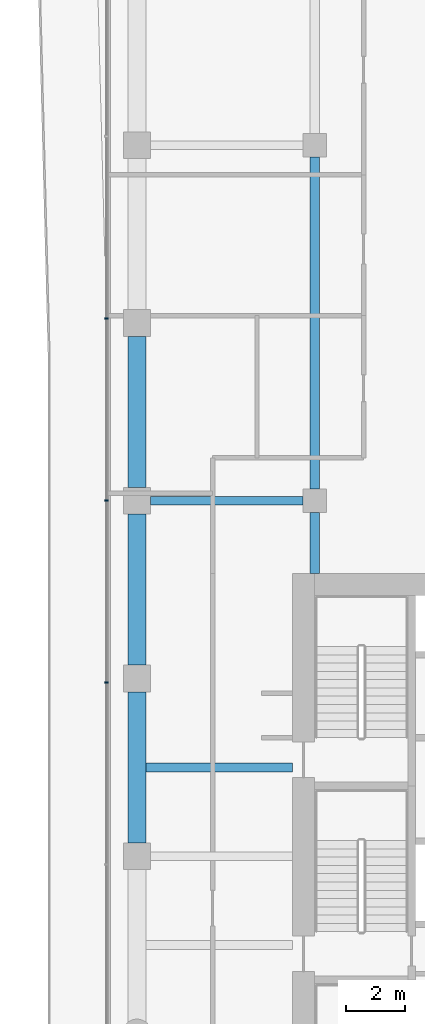
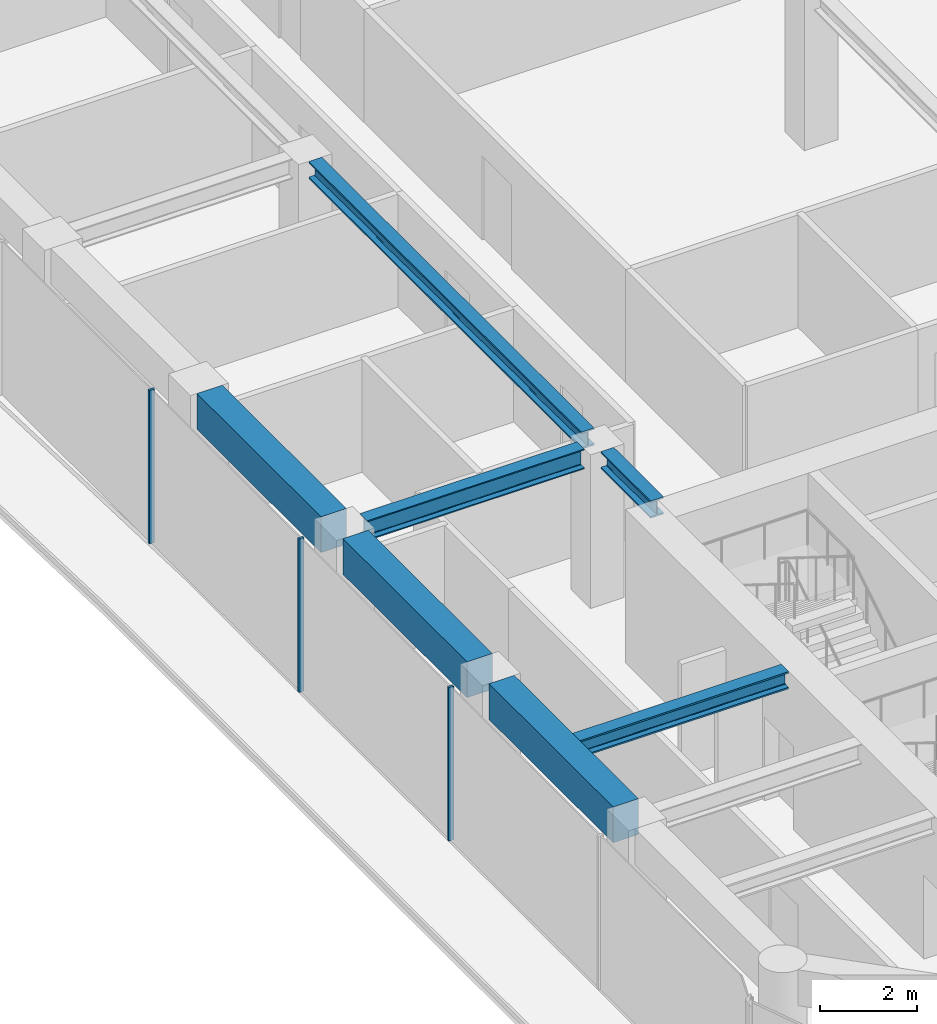
# One storey, part 4 of 23: 7 beams, 3 members, 1 element without a shape of its own.
"""IFC4 building model written with IfcOpenShell, lengths in metres."""

from ifc_helpers import new_model, si_unit, direction, frame, origin, origin_2d, place, context, subcontext, project, spatial, rectangle, i_section, extrude, material, layer, layer_set, material_profile, profile_set, type_object, element, aggregate, save


model = new_model("IFC4")

# Units and contexts
model_context = context("Model", 3, precision=1e-05, world=origin(), true_north=direction((0.0, 1.0)))
body_context = subcontext(model_context, "Body", "Model", "MODEL_VIEW")
ifc_project = project(units=[si_unit("LENGTHUNIT", "METRE"), si_unit("AREAUNIT", "SQUARE_METRE"), si_unit("VOLUMEUNIT", "CUBIC_METRE"), si_unit("PLANEANGLEUNIT", "RADIAN"), si_unit("MASSUNIT", "GRAM", prefix="KILO")], contexts=[model_context])

# Site, building, storey
site_placement = place(None, origin())
site = spatial("IfcSite", under=ifc_project, at=site_placement, CompositionType="ELEMENT")
building_placement = place(site_placement, origin())
building = spatial("IfcBuilding", under=site, at=building_placement, Name="Welwitschia Terrace Campus", CompositionType="ELEMENT")
storey_placement = place(building_placement, frame((0.0, 0.0, 104.60009765625)))
storey = spatial("IfcBuildingStorey", under=building, at=storey_placement, Name="L23", CompositionType="ELEMENT", Elevation=104.60009765625)

# Beams
ifc_material_1 = material(Name="Steel S355", Category="steel")
ifc_material_profile_1 = material_profile(ifc_material_1, i_section(OverallWidth=0.306884765625, OverallDepth=0.431884765625, WebThickness=0.02099609375, FlangeThickness=0.0400390625, FilletRadius=0.027099609375, at=origin_2d()))
ifc_profile_set_1 = profile_set([ifc_material_profile_1], Name="Steel S355")
beam_type_1 = type_object("IfcBeamType", Name="Interior girder HE 400 M", PredefinedType="BEAM", material=ifc_profile_set_1)
beam_1_placement = place(storey_placement, frame((-0.010009765625, 19.0, 3.6337890625), z_axis=(1.0, 0.0, 0.0), x_axis=(0.0, 1.0, 0.0)))
element("IfcBeam", 1, at=beam_1_placement, inside=storey, type_object=beam_type_1, Name="Girder GB3", PredefinedType="BEAM", context=body_context, shape_type="SweptSolid", body=[
    extrude(i_section(OverallWidth=0.306884765625, OverallDepth=0.431884765625, WebThickness=0.02099609375, FlangeThickness=0.0400390625, FilletRadius=0.027099609375, at=origin_2d()), origin(), (0.0, 0.0, 1.0), 5.259033203125),
])
beam_2_placement = place(storey_placement, frame((6.0, 25.551025390625, 3.6337890625), z_axis=(0.0, 1.0, 0.0), x_axis=(-1.0, 0.0, 0.0)))
element("IfcBeam", 2, at=beam_2_placement, inside=storey, type_object=beam_type_1, Name="Girder GB3", PredefinedType="BEAM", context=body_context, shape_type="SweptSolid", body=[
    extrude(i_section(OverallWidth=0.306884765625, OverallDepth=0.431884765625, WebThickness=0.02099609375, FlangeThickness=0.0400390625, FilletRadius=0.027099609375, at=origin_2d()), origin(), (0.0, 0.0, 1.0), 2.048583984375),
])
beam_3_placement = place(storey_placement, frame((6.0, 28.400390625, 3.6337890625), z_axis=(0.0, 1.0, 0.0), x_axis=(-1.0, 0.0, 0.0)))
element("IfcBeam", 3, at=beam_3_placement, inside=storey, type_object=beam_type_1, Name="Girder GB3", PredefinedType="BEAM", context=body_context, shape_type="SweptSolid", body=[
    extrude(i_section(OverallWidth=0.306884765625, OverallDepth=0.431884765625, WebThickness=0.02099609375, FlangeThickness=0.0400390625, FilletRadius=0.027099609375, at=origin_2d()), origin(), (0.0, 0.0, 1.0), 11.19921875),
])

# Curtain wall, members
ifc_material_2 = material(Name="Bronze anodised aluminium", Category="aluminium")
ifc_layer = layer(ifc_material_2, 0.1201171875)
ifc_layer_set = layer_set([ifc_layer], Name="Bronze anodised aluminium")
curtain_wall_type = type_object("IfcCurtainWallType", Name="Curtain wall CW2 tower 6000", PredefinedType="NOTDEFINED", material=ifc_layer_set)
curtain_wall_placement = place(storey_placement, origin())
curtain_wall = element("IfcCurtainWall", 4, at=curtain_wall_placement, inside=storey, type_object=curtain_wall_type, Name="CW L23.12.0", PredefinedType="NOTDEFINED")
ifc_material_3 = material(Name="Bronze anodised aluminium", Category="aluminium")
ifc_material_profile_2 = material_profile(ifc_material_3, rectangle(XDim=0.1201171875, YDim=0.06005859375, at=origin_2d()))
ifc_profile_set_2 = profile_set([ifc_material_profile_2], Name="Bronze anodised aluminium")
member_type = type_object("IfcMemberType", Name="Mullion 60x120", PredefinedType="MULLION", material=ifc_profile_set_2)
member_1_placement = place(storey_placement, frame((-1.030029296875, 34.156005859375, 0.0), z_axis=(0.0, 0.0, 1.0), x_axis=(1.0, 0.0, 0.0)))
member_1 = element("IfcMember", 5, at=member_1_placement, type_object=member_type, Name="Mullion L23.12.0.6", PredefinedType="MULLION", context=body_context, shape_type="SweptSolid", body=[
    extrude(rectangle(XDim=0.1201171875, YDim=0.06005859375, at=origin_2d()), origin(), (0.0, 0.0, 1.0), 3.849853515625),
])
member_2_placement = place(storey_placement, frame((-1.030029296875, 28.01025390625, 0.0), z_axis=(0.0, 0.0, 1.0), x_axis=(1.0, 0.0, 0.0)))
member_2 = element("IfcMember", 6, at=member_2_placement, type_object=member_type, Name="Mullion L23.12.0.7", PredefinedType="MULLION", context=body_context, shape_type="SweptSolid", body=[
    extrude(rectangle(XDim=0.1201171875, YDim=0.06005859375, at=origin_2d()), origin(), (0.0, 0.0, 1.0), 3.849853515625),
])
member_3_placement = place(storey_placement, frame((-1.030029296875, 21.86474609375, 0.0), z_axis=(0.0, 0.0, 1.0), x_axis=(1.0, 0.0, 0.0)))
member_3 = element("IfcMember", 7, at=member_3_placement, type_object=member_type, Name="Mullion L23.12.0.8", PredefinedType="MULLION", context=body_context, shape_type="SweptSolid", body=[
    extrude(rectangle(XDim=0.1201171875, YDim=0.06005859375, at=origin_2d()), origin(), (0.0, 0.0, 1.0), 3.849853515625),
])
aggregate(curtain_wall, [member_1, member_2, member_3])

# Beams
ifc_material_4 = material(Name="Steel S355", Category="steel")
ifc_material_profile_3 = material_profile(ifc_material_4, i_section(OverallWidth=0.300048828125, OverallDepth=0.5, WebThickness=0.014404296875, FlangeThickness=0.028076171875, FilletRadius=0.027099609375, at=origin_2d()))
ifc_profile_set_3 = profile_set([ifc_material_profile_3], Name="Steel S355")
beam_type_2 = type_object("IfcBeamType", Name="Primary beam HE 500 B", PredefinedType="BEAM", material=ifc_profile_set_3)
beam_4_placement = place(storey_placement, frame((0.450439453125, 28.0, 3.599853515625), z_axis=(1.0, 0.0, 0.0), x_axis=(0.0, 1.0, 0.0)))
element("IfcBeam", 8, at=beam_4_placement, inside=storey, type_object=beam_type_2, Name="Primary beam PB3", PredefinedType="BEAM", context=body_context, shape_type="SweptSolid", body=[
    extrude(i_section(OverallWidth=0.300048828125, OverallDepth=0.5, WebThickness=0.014404296875, FlangeThickness=0.028076171875, FilletRadius=0.027099609375, at=origin_2d()), origin(), (0.0, 0.0, 1.0), 5.149169921875),
])
ifc_material_5 = material(Name="Concrete C60/75", Category="concrete")
ifc_material_profile_4 = material_profile(ifc_material_5, rectangle(XDim=0.60009765625, YDim=0.89990234375, at=origin_2d()))
ifc_profile_set_4 = profile_set([ifc_material_profile_4], Name="Concrete C60/75")
beam_type_3 = type_object("IfcBeamType", Name="Ring spandrel 600x900", PredefinedType="SPANDREL", material=ifc_profile_set_4)
for number, where, z_axis, x_axis, name in (
    (9, (0.0, 33.549560546875, 3.39990234375), (0.0, -1.0, 0.0), (1.0, 0.0, 0.0), "Spandrel SP2"),
    (10, (0.0, 27.549560546875, 3.39990234375), (0.0, -1.0, 0.0), (1.0, 0.0, 0.0), "Spandrel SP2"),
    (11, (0.0, 21.549560546875, 3.39990234375), (0.0, -1.0, 0.0), (1.0, 0.0, 0.0), "Spandrel SP2"),
):
    element("IfcBeam", number, at=place(storey_placement, frame(where, z_axis=z_axis, x_axis=x_axis)), inside=storey, type_object=beam_type_3, Name=name, PredefinedType="SPANDREL", context=body_context, shape_type="SweptSolid", body=[
        extrude(rectangle(XDim=0.60009765625, YDim=0.89990234375, at=origin_2d()), origin(), (0.0, 0.0, 1.0), 5.09912109375),
    ])

save(model, "model.ifc")
